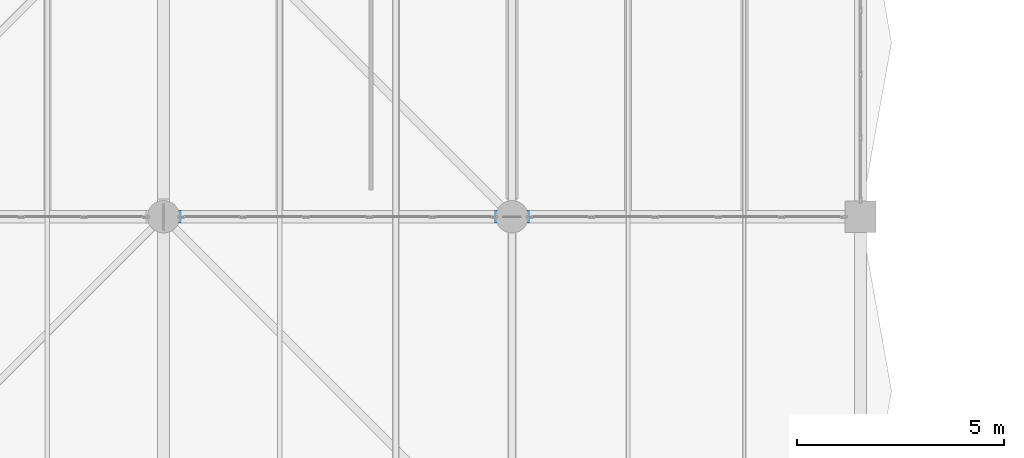
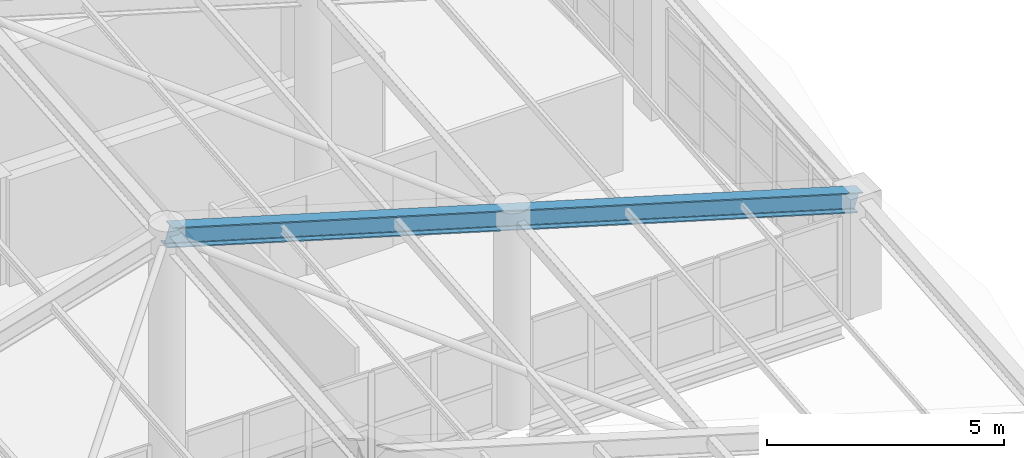
# One storey, part 32 of 95: 1 member.
"""IFC4 building model written with IfcOpenShell, lengths in metres."""

from ifc_helpers import new_model, si_unit, direction, frame, origin, origin_2d, place, context, subcontext, project, spatial, i_section, extrude, material, material_profile, profile_set, type_object, element, save


model = new_model("IFC4")

# Units and contexts
model_context = context("Model", 3, precision=1e-05, world=origin(), true_north=direction((0.0, 1.0)))
body_context = subcontext(model_context, "Body", "Model", "MODEL_VIEW")
ifc_project = project(units=[si_unit("LENGTHUNIT", "METRE"), si_unit("AREAUNIT", "SQUARE_METRE"), si_unit("VOLUMEUNIT", "CUBIC_METRE"), si_unit("PLANEANGLEUNIT", "RADIAN"), si_unit("MASSUNIT", "GRAM", prefix="KILO"), si_unit("THERMODYNAMICTEMPERATUREUNIT", "KELVIN"), si_unit("POWERUNIT", "WATT")], contexts=[model_context])

# Site, building, storey
site_placement = place(None, origin())
site = spatial("IfcSite", under=ifc_project, at=site_placement, CompositionType="ELEMENT")
building_placement = place(site_placement, origin())
building = spatial("IfcBuilding", under=site, at=building_placement, Name="Mavoryth Pier Ferry Terminal", CompositionType="ELEMENT")
storey_placement = place(building_placement, frame((0.0, 0.0, 9.60009765625)))
storey = spatial("IfcBuildingStorey", under=building, at=storey_placement, Name="L02", CompositionType="ELEMENT", Elevation=9.60009765625)

# Member
ifc_material = material(Name="Steel S355J2", Category="steel")
ifc_material_profile = material_profile(ifc_material, i_section(OverallWidth=0.300048828125, OverallDepth=0.5, WebThickness=0.014404296875, FlangeThickness=0.028076171875, FilletRadius=0.027099609375, at=origin_2d()), Name="HEB 500", Category="steel")
ifc_profile_set = profile_set([ifc_material_profile], Name="Steel S355J2 - HEB 500")
member_type = type_object("IfcMemberType", Name="Rafter-Folded-HEB500", PredefinedType="RAFTER", material=ifc_profile_set)
member_placement = place(storey_placement, frame((16.800048828125, 72.39990234375, 7.70556640625), z_axis=(0.958821022036, 0.0, -0.284010999261), x_axis=(0.0, 1.0, 0.0)))
element("IfcMember", 1, at=member_placement, inside=storey, type_object=member_type, Name="Steel Member MB-L02-0014", PredefinedType="RAFTER", context=body_context, shape_type="SweptSolid", body=[
    extrude(i_section(OverallWidth=0.300048828125, OverallDepth=0.5, WebThickness=0.014404296875, FlangeThickness=0.028076171875, FilletRadius=0.027099609375, at=origin_2d()), origin(), (0.0, 0.0, 1.0), 17.521484375),
])

save(model, "model.ifc")
